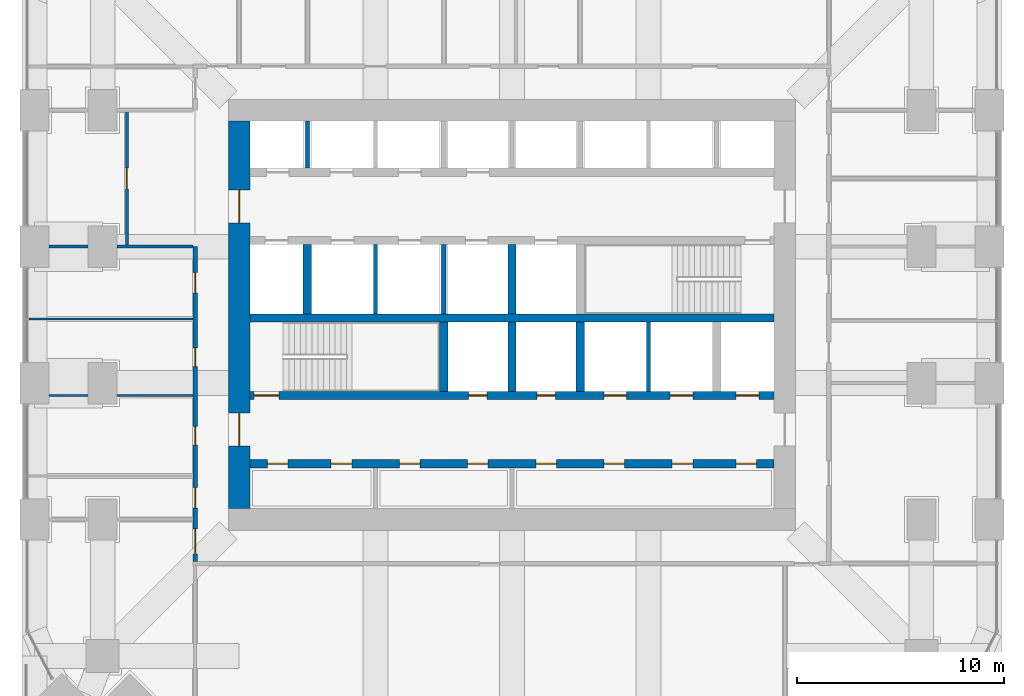
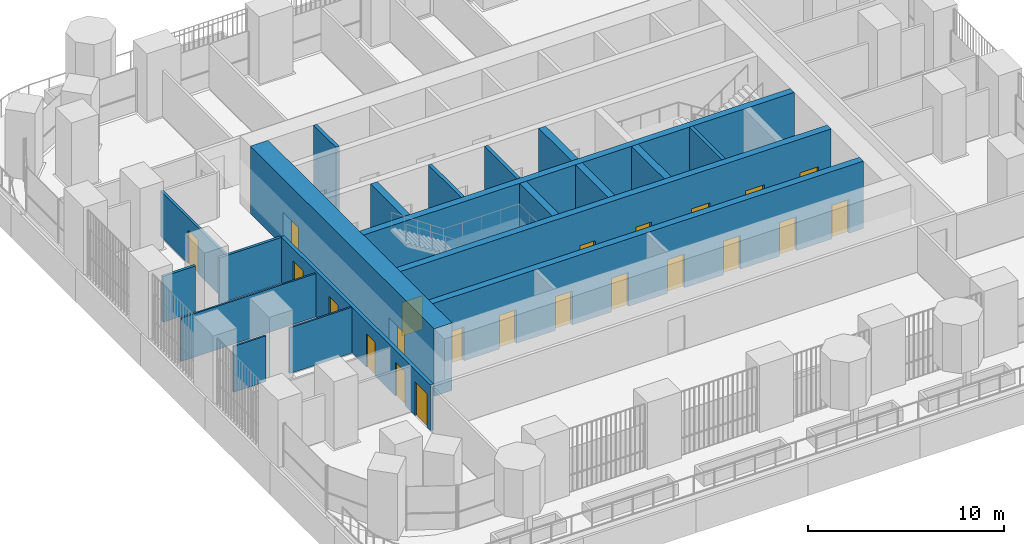
# One storey, part 14 of 22: 22 doors, 20 walls, 22 openings.
"""IFC4 building model written with IfcOpenShell, lengths in metres."""

from ifc_helpers import new_model, si_unit, direction, frame, frame_2d, origin, place, context, subcontext, project, spatial, rectangle, extrude, material, layer, layer_set, type_object, element, fill, save


model = new_model("IFC4")

# Units and contexts
model_context = context("Model", 3, precision=1e-05, world=origin(), true_north=direction((0.0, 1.0)))
body_context = subcontext(model_context, "Body", "Model", "MODEL_VIEW")
ifc_project = project(units=[si_unit("LENGTHUNIT", "METRE"), si_unit("AREAUNIT", "SQUARE_METRE"), si_unit("VOLUMEUNIT", "CUBIC_METRE"), si_unit("PLANEANGLEUNIT", "RADIAN"), si_unit("MASSUNIT", "GRAM", prefix="KILO")], contexts=[model_context])

# Site, building, storey
site_placement = place(None, origin())
site = spatial("IfcSite", under=ifc_project, at=site_placement, CompositionType="ELEMENT")
building_placement = place(site_placement, origin())
building = spatial("IfcBuilding", under=site, at=building_placement, Name="Cobogo Forest Laboratory Tower", CompositionType="ELEMENT")
storey_placement = place(building_placement, frame((0.0, 0.0, 155.699951171875)))
storey = spatial("IfcBuildingStorey", under=building, at=storey_placement, Name="L35", CompositionType="ELEMENT", Elevation=155.699951171875)

# Wall, openings, doors
ifc_material_1 = material(Name="Concrete HA-50 (C50/60)", Category="concrete")
ifc_layer_1 = layer(ifc_material_1, 0.39990234375)
ifc_layer_set_1 = layer_set([ifc_layer_1], Name="CI400 core inner wall 400")
wall_type_1 = type_object("IfcWallType", Name="CI400 core inner wall 400", PredefinedType="SHEAR", material=ifc_layer_set_1)
wall_1_placement = place(storey_placement, frame((13.72509765625, 15.89990234375, 0.0), z_axis=(0.0, 0.0, 1.0), x_axis=(1.0, 0.0, 0.0)))
wall_1 = element("IfcWall", 1, at=wall_1_placement, inside=storey, type_object=wall_type_1, Name="Core wall CI-15.9 L35", PredefinedType="SHEAR", context=body_context, shape_type="SweptSolid", body=[
    extrude(rectangle(XDim=25.349853515625, YDim=0.39990234375, at=frame_2d((12.6748046875, 0.0))), origin(), (0.0, 0.0, 1.0), 4.199951171875),
])
opening_1_placement = place(wall_1_placement, frame((0.83740234375, 0.0, 0.0)))
opening_1 = element("IfcOpeningElement", 2, at=opening_1_placement, cuts=wall_1, Name="Opening L35-D07", PredefinedType="OPENING", context=body_context, shape_type="SweptSolid", body=[
    extrude(rectangle(XDim=1.0, YDim=2.10009765625, at=frame_2d((0.5, 1.050048828125))), frame((0.0, 0.2099609375, 0.0), z_axis=(0.0, -1.0, 0.0), x_axis=(1.0, 0.0, 0.0)), (0.0, 0.0, 1.0), 0.419921875),
])
opening_2_placement = place(wall_1_placement, frame((3.925048828125, 0.0, 0.0)))
opening_2 = element("IfcOpeningElement", 3, at=opening_2_placement, cuts=wall_1, Name="Opening L35-D08", PredefinedType="OPENING", context=body_context, shape_type="SweptSolid", body=[
    extrude(rectangle(XDim=1.0, YDim=2.10009765625, at=frame_2d((0.5, 1.050048828125))), frame((0.0, 0.2099609375, 0.0), z_axis=(0.0, -1.0, 0.0), x_axis=(1.0, 0.0, 0.0)), (0.0, 0.0, 1.0), 0.419921875),
])
opening_3_placement = place(wall_1_placement, frame((7.22509765625, 0.0, 0.0)))
opening_3 = element("IfcOpeningElement", 4, at=opening_3_placement, cuts=wall_1, Name="Opening L35-D09", PredefinedType="OPENING", context=body_context, shape_type="SweptSolid", body=[
    extrude(rectangle(XDim=1.0, YDim=2.10009765625, at=frame_2d((0.5, 1.050048828125))), frame((0.0, 0.2099609375, 0.0), z_axis=(0.0, -1.0, 0.0), x_axis=(1.0, 0.0, 0.0)), (0.0, 0.0, 1.0), 0.419921875),
])
opening_4_placement = place(wall_1_placement, frame((10.52490234375, 0.0, 0.0)))
opening_4 = element("IfcOpeningElement", 5, at=opening_4_placement, cuts=wall_1, Name="Opening L35-D10", PredefinedType="OPENING", context=body_context, shape_type="SweptSolid", body=[
    extrude(rectangle(XDim=1.0, YDim=2.10009765625, at=frame_2d((0.5, 1.050048828125))), frame((0.0, 0.2099609375, 0.0), z_axis=(0.0, -1.0, 0.0), x_axis=(1.0, 0.0, 0.0)), (0.0, 0.0, 1.0), 0.419921875),
])
opening_5_placement = place(wall_1_placement, frame((13.824951171875, 0.0, 0.0)))
opening_5 = element("IfcOpeningElement", 6, at=opening_5_placement, cuts=wall_1, Name="Opening L35-D11", PredefinedType="OPENING", context=body_context, shape_type="SweptSolid", body=[
    extrude(rectangle(XDim=1.0, YDim=2.10009765625, at=frame_2d((0.5, 1.050048828125))), frame((0.0, 0.2099609375, 0.0), z_axis=(0.0, -1.0, 0.0), x_axis=(1.0, 0.0, 0.0)), (0.0, 0.0, 1.0), 0.419921875),
])
opening_6_placement = place(wall_1_placement, frame((17.125, 0.0, 0.0)))
opening_6 = element("IfcOpeningElement", 7, at=opening_6_placement, cuts=wall_1, Name="Opening L35-D12", PredefinedType="OPENING", context=body_context, shape_type="SweptSolid", body=[
    extrude(rectangle(XDim=1.0, YDim=2.10009765625, at=frame_2d((0.5, 1.050048828125))), frame((0.0, 0.2099609375, 0.0), z_axis=(0.0, -1.0, 0.0), x_axis=(1.0, 0.0, 0.0)), (0.0, 0.0, 1.0), 0.419921875),
])
opening_7_placement = place(wall_1_placement, frame((20.425048828125, 0.0, 0.0)))
opening_7 = element("IfcOpeningElement", 8, at=opening_7_placement, cuts=wall_1, Name="Opening L35-D13", PredefinedType="OPENING", context=body_context, shape_type="SweptSolid", body=[
    extrude(rectangle(XDim=1.0, YDim=2.10009765625, at=frame_2d((0.5, 1.050048828125))), frame((0.0, 0.2099609375, 0.0), z_axis=(0.0, -1.0, 0.0), x_axis=(1.0, 0.0, 0.0)), (0.0, 0.0, 1.0), 0.419921875),
])
opening_8_placement = place(wall_1_placement, frame((23.512451171875, 0.0, 0.0)))
opening_8 = element("IfcOpeningElement", 9, at=opening_8_placement, cuts=wall_1, Name="Opening L35-D14", PredefinedType="OPENING", context=body_context, shape_type="SweptSolid", body=[
    extrude(rectangle(XDim=1.0, YDim=2.10009765625, at=frame_2d((0.5, 1.050048828125))), frame((0.0, 0.2099609375, 0.0), z_axis=(0.0, -1.0, 0.0), x_axis=(1.0, 0.0, 0.0)), (0.0, 0.0, 1.0), 0.419921875),
])
ifc_material_2 = material(Name="Steel fire door", Category="steel")
door_type_1 = type_object("IfcDoorType", Name="FD1 fire door 1000 EI2 60", OperationType="SINGLE_SWING_LEFT", PredefinedType="DOOR", material=ifc_material_2)
door_1_placement = place(opening_1_placement, origin())
door_1 = element("IfcDoor", 10, at=door_1_placement, inside=storey, type_object=door_type_1, Name="Door L35-SH-LA1", OperationType="SINGLE_SWING_LEFT", OverallHeight=2.10009765625, OverallWidth=1.0, PredefinedType="DOOR", context=body_context, shape_type="SweptSolid", body=[
    extrude(rectangle(XDim=1.0, YDim=2.10009765625, at=frame_2d((0.5, 1.050048828125))), frame((0.0, 0.02490234375, 0.0), z_axis=(0.0, -1.0, 0.0), x_axis=(1.0, 0.0, 0.0)), (0.0, 0.0, 1.0), 0.050048828125),
])
fill(opening_1, door_1)
door_2_placement = place(opening_2_placement, origin())
door_2 = element("IfcDoor", 11, at=door_2_placement, inside=storey, type_object=door_type_1, Name="Door L35-SH-LA2", OperationType="SINGLE_SWING_LEFT", OverallHeight=2.10009765625, OverallWidth=1.0, PredefinedType="DOOR", context=body_context, shape_type="SweptSolid", body=[
    extrude(rectangle(XDim=1.0, YDim=2.10009765625, at=frame_2d((0.5, 1.050048828125))), frame((0.0, 0.02490234375, 0.0), z_axis=(0.0, -1.0, 0.0), x_axis=(1.0, 0.0, 0.0)), (0.0, 0.0, 1.0), 0.050048828125),
])
fill(opening_2, door_2)
door_3_placement = place(opening_3_placement, origin())
door_3 = element("IfcDoor", 12, at=door_3_placement, inside=storey, type_object=door_type_1, Name="Door L35-SH-LA3", OperationType="SINGLE_SWING_LEFT", OverallHeight=2.10009765625, OverallWidth=1.0, PredefinedType="DOOR", context=body_context, shape_type="SweptSolid", body=[
    extrude(rectangle(XDim=1.0, YDim=2.10009765625, at=frame_2d((0.5, 1.050048828125))), frame((0.0, 0.02490234375, 0.0), z_axis=(0.0, -1.0, 0.0), x_axis=(1.0, 0.0, 0.0)), (0.0, 0.0, 1.0), 0.050048828125),
])
fill(opening_3, door_3)
door_4_placement = place(opening_4_placement, origin())
door_4 = element("IfcDoor", 13, at=door_4_placement, inside=storey, type_object=door_type_1, Name="Door L35-SH-LA4", OperationType="SINGLE_SWING_LEFT", OverallHeight=2.10009765625, OverallWidth=1.0, PredefinedType="DOOR", context=body_context, shape_type="SweptSolid", body=[
    extrude(rectangle(XDim=1.0, YDim=2.10009765625, at=frame_2d((0.5, 1.050048828125))), frame((0.0, 0.02490234375, 0.0), z_axis=(0.0, -1.0, 0.0), x_axis=(1.0, 0.0, 0.0)), (0.0, 0.0, 1.0), 0.050048828125),
])
fill(opening_4, door_4)
door_5_placement = place(opening_5_placement, origin())
door_5 = element("IfcDoor", 14, at=door_5_placement, inside=storey, type_object=door_type_1, Name="Door L35-SH-LB1", OperationType="SINGLE_SWING_RIGHT", OverallHeight=2.10009765625, OverallWidth=1.0, PredefinedType="DOOR", context=body_context, shape_type="SweptSolid", body=[
    extrude(rectangle(XDim=1.0, YDim=2.10009765625, at=frame_2d((0.5, 1.050048828125))), frame((0.0, 0.02490234375, 0.0), z_axis=(0.0, -1.0, 0.0), x_axis=(1.0, 0.0, 0.0)), (0.0, 0.0, 1.0), 0.050048828125),
])
fill(opening_5, door_5)
door_6_placement = place(opening_6_placement, origin())
door_6 = element("IfcDoor", 15, at=door_6_placement, inside=storey, type_object=door_type_1, Name="Door L35-SH-LB2", OperationType="SINGLE_SWING_RIGHT", OverallHeight=2.10009765625, OverallWidth=1.0, PredefinedType="DOOR", context=body_context, shape_type="SweptSolid", body=[
    extrude(rectangle(XDim=1.0, YDim=2.10009765625, at=frame_2d((0.5, 1.050048828125))), frame((0.0, 0.02490234375, 0.0), z_axis=(0.0, -1.0, 0.0), x_axis=(1.0, 0.0, 0.0)), (0.0, 0.0, 1.0), 0.050048828125),
])
fill(opening_6, door_6)
door_7_placement = place(opening_7_placement, origin())
door_7 = element("IfcDoor", 16, at=door_7_placement, inside=storey, type_object=door_type_1, Name="Door L35-SH-LB3", OperationType="SINGLE_SWING_RIGHT", OverallHeight=2.10009765625, OverallWidth=1.0, PredefinedType="DOOR", context=body_context, shape_type="SweptSolid", body=[
    extrude(rectangle(XDim=1.0, YDim=2.10009765625, at=frame_2d((0.5, 1.050048828125))), frame((0.0, 0.02490234375, 0.0), z_axis=(0.0, -1.0, 0.0), x_axis=(1.0, 0.0, 0.0)), (0.0, 0.0, 1.0), 0.050048828125),
])
fill(opening_7, door_7)
door_8_placement = place(opening_8_placement, origin())
door_8 = element("IfcDoor", 17, at=door_8_placement, inside=storey, type_object=door_type_1, Name="Door L35-SH-LB4", OperationType="SINGLE_SWING_RIGHT", OverallHeight=2.10009765625, OverallWidth=1.0, PredefinedType="DOOR", context=body_context, shape_type="SweptSolid", body=[
    extrude(rectangle(XDim=1.0, YDim=2.10009765625, at=frame_2d((0.5, 1.050048828125))), frame((0.0, 0.02490234375, 0.0), z_axis=(0.0, -1.0, 0.0), x_axis=(1.0, 0.0, 0.0)), (0.0, 0.0, 1.0), 0.050048828125),
])
fill(opening_8, door_8)

wall_2_placement = place(storey_placement, frame((13.72509765625, 19.199951171875, 0.0), z_axis=(0.0, 0.0, 1.0), x_axis=(1.0, 0.0, 0.0)))
wall_2 = element("IfcWall", 18, at=wall_2_placement, inside=storey, type_object=wall_type_1, Name="Core wall CI-19.2 L35", PredefinedType="SHEAR", context=body_context, shape_type="SweptSolid", body=[
    extrude(rectangle(XDim=25.349853515625, YDim=0.39990234375, at=frame_2d((12.6748046875, 0.0))), origin(), (0.0, 0.0, 1.0), 4.199951171875),
])
opening_9_placement = place(wall_2_placement, frame((10.574951171875, 0.0, 0.0)))
opening_9 = element("IfcOpeningElement", 19, at=opening_9_placement, cuts=wall_2, Name="Opening L35-D19", PredefinedType="OPENING", context=body_context, shape_type="SweptSolid", body=[
    extrude(rectangle(XDim=0.89990234375, YDim=2.10009765625, at=frame_2d((0.449951171875, 1.050048828125))), frame((0.0, 0.2099609375, 0.0), z_axis=(0.0, -1.0, 0.0), x_axis=(1.0, 0.0, 0.0)), (0.0, 0.0, 1.0), 0.419921875),
])
opening_10_placement = place(wall_2_placement, frame((13.875, 0.0, 0.0)))
opening_10 = element("IfcOpeningElement", 20, at=opening_10_placement, cuts=wall_2, Name="Opening L35-D20", PredefinedType="OPENING", context=body_context, shape_type="SweptSolid", body=[
    extrude(rectangle(XDim=0.89990234375, YDim=2.10009765625, at=frame_2d((0.449951171875, 1.050048828125))), frame((0.0, 0.2099609375, 0.0), z_axis=(0.0, -1.0, 0.0), x_axis=(1.0, 0.0, 0.0)), (0.0, 0.0, 1.0), 0.419921875),
])
opening_11_placement = place(wall_2_placement, frame((0.199951171875, 0.0, 0.0)))
opening_11 = element("IfcOpeningElement", 21, at=opening_11_placement, cuts=wall_2, Name="Opening L35-D18", PredefinedType="OPENING", context=body_context, shape_type="SweptSolid", body=[
    extrude(rectangle(XDim=1.199951171875, YDim=2.10009765625, at=frame_2d((0.60009765625, 1.050048828125))), frame((0.0, 0.2099609375, 0.0), z_axis=(0.0, -1.0, 0.0), x_axis=(1.0, 0.0, 0.0)), (0.0, 0.0, 1.0), 0.419921875),
])
opening_12_placement = place(wall_2_placement, frame((23.512451171875, 0.0, 0.0)))
opening_12 = element("IfcOpeningElement", 22, at=opening_12_placement, cuts=wall_2, Name="Opening L35-LD-FL2", PredefinedType="OPENING", context=body_context, shape_type="SweptSolid", body=[
    extrude(rectangle(XDim=1.10009765625, YDim=2.10009765625, at=frame_2d((0.550048828125, 1.050048828125))), frame((0.0, 0.2099609375, 0.0), z_axis=(0.0, -1.0, 0.0), x_axis=(1.0, 0.0, 0.0)), (0.0, 0.0, 1.0), 0.419921875),
])
opening_13_placement = place(wall_2_placement, frame((17.125, 0.0, 0.0)))
opening_13 = element("IfcOpeningElement", 23, at=opening_13_placement, cuts=wall_2, Name="Opening L35-LD-LS1", PredefinedType="OPENING", context=body_context, shape_type="SweptSolid", body=[
    extrude(rectangle(XDim=1.10009765625, YDim=2.10009765625, at=frame_2d((0.550048828125, 1.050048828125))), frame((0.0, 0.2099609375, 0.0), z_axis=(0.0, -1.0, 0.0), x_axis=(1.0, 0.0, 0.0)), (0.0, 0.0, 1.0), 0.419921875),
])
opening_14_placement = place(wall_2_placement, frame((20.324951171875, 0.0, 0.0)))
opening_14 = element("IfcOpeningElement", 24, at=opening_14_placement, cuts=wall_2, Name="Opening L35-LD-LS2", PredefinedType="OPENING", context=body_context, shape_type="SweptSolid", body=[
    extrude(rectangle(XDim=1.10009765625, YDim=2.10009765625, at=frame_2d((0.550048828125, 1.050048828125))), frame((0.0, 0.2099609375, 0.0), z_axis=(0.0, -1.0, 0.0), x_axis=(1.0, 0.0, 0.0)), (0.0, 0.0, 1.0), 0.419921875),
])
door_type_2 = type_object("IfcDoorType", Name="DS1 protected stair door 1200 EI2 60", OperationType="SINGLE_SWING_LEFT", PredefinedType="DOOR", material=ifc_material_2)
door_9_placement = place(opening_11_placement, origin())
door_9 = element("IfcDoor", 25, at=door_9_placement, inside=storey, type_object=door_type_2, Name="Door L35-ST1", OperationType="SINGLE_SWING_LEFT", OverallHeight=2.10009765625, OverallWidth=1.199951171875, PredefinedType="DOOR", context=body_context, shape_type="SweptSolid", body=[
    extrude(rectangle(XDim=1.199951171875, YDim=2.10009765625, at=frame_2d((0.60009765625, 1.050048828125))), frame((0.0, 0.02490234375, 0.0), z_axis=(0.0, -1.0, 0.0), x_axis=(1.0, 0.0, 0.0)), (0.0, 0.0, 1.0), 0.050048828125),
])
fill(opening_11, door_9)
door_type_3 = type_object("IfcDoorType", Name="FD4 riser access door 900 EI2 60", OperationType="SINGLE_SWING_LEFT", PredefinedType="DOOR", material=ifc_material_2)
door_10_placement = place(opening_9_placement, origin())
door_10 = element("IfcDoor", 26, at=door_10_placement, inside=storey, type_object=door_type_3, Name="Door L35-R1", OperationType="SINGLE_SWING_LEFT", OverallHeight=2.10009765625, OverallWidth=0.89990234375, PredefinedType="DOOR", context=body_context, shape_type="SweptSolid", body=[
    extrude(rectangle(XDim=0.89990234375, YDim=2.10009765625, at=frame_2d((0.449951171875, 1.050048828125))), frame((0.0, 0.02490234375, 0.0), z_axis=(0.0, -1.0, 0.0), x_axis=(1.0, 0.0, 0.0)), (0.0, 0.0, 1.0), 0.050048828125),
])
fill(opening_9, door_10)
door_11_placement = place(opening_10_placement, origin())
door_11 = element("IfcDoor", 27, at=door_11_placement, inside=storey, type_object=door_type_3, Name="Door L35-R2", OperationType="SINGLE_SWING_RIGHT", OverallHeight=2.10009765625, OverallWidth=0.89990234375, PredefinedType="DOOR", context=body_context, shape_type="SweptSolid", body=[
    extrude(rectangle(XDim=0.89990234375, YDim=2.10009765625, at=frame_2d((0.449951171875, 1.050048828125))), frame((0.0, 0.02490234375, 0.0), z_axis=(0.0, -1.0, 0.0), x_axis=(1.0, 0.0, 0.0)), (0.0, 0.0, 1.0), 0.050048828125),
])
fill(opening_10, door_11)
ifc_material_3 = material(Name="Stainless steel lift door", Category="steel")
door_type_4 = type_object("IfcDoorType", Name="LD lift landing door 1100", OperationType="DOUBLE_DOOR_SLIDING", PredefinedType="DOOR", material=ifc_material_3)
door_12_placement = place(opening_12_placement, origin())
door_12 = element("IfcDoor", 28, at=door_12_placement, inside=storey, type_object=door_type_4, Name="Lift landing door FL2 L35", OperationType="DOUBLE_DOOR_SLIDING", OverallHeight=2.10009765625, OverallWidth=1.10009765625, PredefinedType="DOOR", context=body_context, shape_type="SweptSolid", body=[
    extrude(rectangle(XDim=1.10009765625, YDim=2.10009765625, at=frame_2d((0.550048828125, 1.050048828125))), frame((0.0, 0.02490234375, 0.0), z_axis=(0.0, -1.0, 0.0), x_axis=(1.0, 0.0, 0.0)), (0.0, 0.0, 1.0), 0.050048828125),
])
fill(opening_12, door_12)
door_13_placement = place(opening_13_placement, origin())
door_13 = element("IfcDoor", 29, at=door_13_placement, inside=storey, type_object=door_type_4, Name="Lift landing door LS1 L35", OperationType="DOUBLE_DOOR_SLIDING", OverallHeight=2.10009765625, OverallWidth=1.10009765625, PredefinedType="DOOR", context=body_context, shape_type="SweptSolid", body=[
    extrude(rectangle(XDim=1.10009765625, YDim=2.10009765625, at=frame_2d((0.550048828125, 1.050048828125))), frame((0.0, 0.02490234375, 0.0), z_axis=(0.0, -1.0, 0.0), x_axis=(1.0, 0.0, 0.0)), (0.0, 0.0, 1.0), 0.050048828125),
])
fill(opening_13, door_13)
door_14_placement = place(opening_14_placement, origin())
door_14 = element("IfcDoor", 30, at=door_14_placement, inside=storey, type_object=door_type_4, Name="Lift landing door LS2 L35", OperationType="DOUBLE_DOOR_SLIDING", OverallHeight=2.10009765625, OverallWidth=1.10009765625, PredefinedType="DOOR", context=body_context, shape_type="SweptSolid", body=[
    extrude(rectangle(XDim=1.10009765625, YDim=2.10009765625, at=frame_2d((0.550048828125, 1.050048828125))), frame((0.0, 0.02490234375, 0.0), z_axis=(0.0, -1.0, 0.0), x_axis=(1.0, 0.0, 0.0)), (0.0, 0.0, 1.0), 0.050048828125),
])
fill(opening_14, door_14)

# Walls
wall_3_placement = place(storey_placement, frame((13.72509765625, 22.949951171875, 0.0), z_axis=(0.0, 0.0, 1.0), x_axis=(1.0, 0.0, 0.0)))
element("IfcWall", 31, at=wall_3_placement, inside=storey, type_object=wall_type_1, Name="Core wall CI-22.95 L35", PredefinedType="SHEAR", context=body_context, shape_type="SweptSolid", body=[
    extrude(rectangle(XDim=25.349853515625, YDim=0.39990234375, at=frame_2d((12.6748046875, 0.0))), origin(), (0.0, 0.0, 1.0), 4.199951171875),
])
for number, where, z_axis, x_axis, name in (
    (32, (23.10009765625, 19.39990234375, 0.0), (0.0, 0.0, 1.0), (0.0, 1.0, 0.0), "Core wall CX-23.1 L35"),
    (33, (26.39990234375, 19.39990234375, 0.0), (0.0, 0.0, 1.0), (0.0, 1.0, 0.0), "Core wall CX-26.4S L35"),
    (34, (29.699951171875, 19.39990234375, 0.0), (0.0, 0.0, 1.0), (0.0, 1.0, 0.0), "Core wall CX-29.7S L35"),
    (35, (16.5, 23.14990234375, 0.0), (0.0, 0.0, 1.0), (0.0, 1.0, 0.0), "Core wall CX-16.5 L35"),
    (36, (26.39990234375, 23.14990234375, 0.0), (0.0, 0.0, 1.0), (0.0, 1.0, 0.0), "Core wall CX-26.4N L35"),
):
    element("IfcWall", number, at=place(storey_placement, frame(where, z_axis=z_axis, x_axis=x_axis)), inside=storey, type_object=wall_type_1, Name=name, PredefinedType="SHEAR", context=body_context, shape_type="SweptSolid", body=[
        extrude(rectangle(XDim=3.35009765625, YDim=0.39990234375, at=frame_2d((1.675048828125, 0.0))), origin(), (0.0, 0.0, 1.0), 4.199951171875),
    ])

# Wall, openings, doors
ifc_layer_2 = layer(ifc_material_1, 1.050048828125)
ifc_layer_set_2 = layer_set([ifc_layer_2], Name="CW1050 core outer wall 1050")
wall_type_2 = type_object("IfcWallType", Name="CW1050 core outer wall 1050", PredefinedType="SHEAR", material=ifc_layer_set_2)
wall_4_placement = place(storey_placement, frame((13.199951171875, 32.47509765625, 0.0), z_axis=(0.0, 0.0, 1.0), x_axis=(0.0, -1.0, 0.0)))
wall_4 = element("IfcWall", 37, at=wall_4_placement, inside=storey, type_object=wall_type_2, Name="Core wall CO-W L35", PredefinedType="SHEAR", context=body_context, shape_type="SweptSolid", body=[
    extrude(rectangle(XDim=18.75, YDim=1.050048828125, at=frame_2d((9.375, 0.0))), origin(), (0.0, 0.0, 1.0), 4.199951171875),
])
opening_15_placement = place(wall_4_placement, frame((14.125, 0.0, 0.0)))
opening_15 = element("IfcOpeningElement", 38, at=opening_15_placement, cuts=wall_4, Name="Opening L35-D16", PredefinedType="OPENING", context=body_context, shape_type="SweptSolid", body=[
    extrude(rectangle(XDim=1.60009765625, YDim=2.10009765625, at=frame_2d((0.800048828125, 1.050048828125))), frame((0.0, 0.534912109375, 0.0), z_axis=(0.0, -1.0, 0.0), x_axis=(1.0, 0.0, 0.0)), (0.0, 0.0, 1.0), 1.070068359375),
])
opening_16_placement = place(wall_4_placement, frame((3.324951171875, 0.0, 0.0)))
opening_16 = element("IfcOpeningElement", 39, at=opening_16_placement, cuts=wall_4, Name="Opening L35-D27", PredefinedType="OPENING", context=body_context, shape_type="SweptSolid", body=[
    extrude(rectangle(XDim=1.60009765625, YDim=2.10009765625, at=frame_2d((0.800048828125, 1.050048828125))), frame((0.0, 0.534912109375, 0.0), z_axis=(0.0, -1.0, 0.0), x_axis=(1.0, 0.0, 0.0)), (0.0, 0.0, 1.0), 1.070068359375),
])
door_type_5 = type_object("IfcDoorType", Name="DS2 protected lobby door pair 1600 EI2 60", OperationType="DOUBLE_DOOR_DOUBLE_SWING", PredefinedType="DOOR", material=ifc_material_2)
door_15_placement = place(opening_15_placement, origin())
door_15 = element("IfcDoor", 40, at=door_15_placement, inside=storey, type_object=door_type_5, Name="Door L35-CO-W-S", OperationType="DOUBLE_DOOR_DOUBLE_SWING", OverallHeight=2.10009765625, OverallWidth=1.60009765625, PredefinedType="DOOR", context=body_context, shape_type="SweptSolid", body=[
    extrude(rectangle(XDim=1.60009765625, YDim=2.10009765625, at=frame_2d((0.800048828125, 1.050048828125))), frame((0.0, 0.02490234375, 0.0), z_axis=(0.0, -1.0, 0.0), x_axis=(1.0, 0.0, 0.0)), (0.0, 0.0, 1.0), 0.050048828125),
])
fill(opening_15, door_15)
door_16_placement = place(opening_16_placement, origin())
door_16 = element("IfcDoor", 41, at=door_16_placement, inside=storey, type_object=door_type_5, Name="Door L35-CO-W-N", OperationType="DOUBLE_DOOR_DOUBLE_SWING", OverallHeight=2.10009765625, OverallWidth=1.60009765625, PredefinedType="DOOR", context=body_context, shape_type="SweptSolid", body=[
    extrude(rectangle(XDim=1.60009765625, YDim=2.10009765625, at=frame_2d((0.800048828125, 1.050048828125))), frame((0.0, 0.02490234375, 0.0), z_axis=(0.0, -1.0, 0.0), x_axis=(1.0, 0.0, 0.0)), (0.0, 0.0, 1.0), 0.050048828125),
])
fill(opening_16, door_16)

# Wall, opening, door
ifc_material_4 = material(Name="Gypsum board on steel studs", Category="steel")
ifc_layer_3 = layer(ifc_material_4, 0.14990234375)
ifc_layer_set_3 = layer_set([ifc_layer_3], Name="PT1 laboratory partition 150")
wall_type_3 = type_object("IfcWallType", Name="PT1 laboratory partition 150", PredefinedType="PARTITIONING", material=ifc_layer_set_3)
wall_5_placement = place(storey_placement, frame((7.77490234375, 26.39990234375, 0.0), z_axis=(0.0, 0.0, 1.0), x_axis=(0.0, 1.0, 0.0)))
wall_5 = element("IfcWall", 42, at=wall_5_placement, inside=storey, type_object=wall_type_3, Name="Partition NODE-W-1 L35", PredefinedType="PARTITIONING", context=body_context, shape_type="SweptSolid", body=[
    extrude(rectangle(XDim=6.60009765625, YDim=0.14990234375, at=frame_2d((3.300048828125, 0.0))), origin(), (0.0, 0.0, 1.0), 2.85009765625),
])
opening_17_placement = place(wall_5_placement, frame((2.800048828125, 0.0, 0.0)))
opening_17 = element("IfcOpeningElement", 43, at=opening_17_placement, cuts=wall_5, Name="Opening L35-D29", PredefinedType="OPENING", context=body_context, shape_type="SweptSolid", body=[
    extrude(rectangle(XDim=1.0, YDim=2.10009765625, at=frame_2d((0.5, 1.050048828125))), frame((0.0, 0.0849609375, 0.0), z_axis=(0.0, -1.0, 0.0), x_axis=(1.0, 0.0, 0.0)), (0.0, 0.0, 1.0), 0.169921875),
])
ifc_material_5 = material(Name="Timber fire door", Category="wood")
door_type_6 = type_object("IfcDoorType", Name="FD2 fire door 1000 EI2 30", OperationType="SINGLE_SWING_LEFT", PredefinedType="DOOR", material=ifc_material_5)
door_17_placement = place(opening_17_placement, origin())
door_17 = element("IfcDoor", 44, at=door_17_placement, inside=storey, type_object=door_type_6, Name="Door L35-W3", OperationType="SINGLE_SWING_LEFT", OverallHeight=2.10009765625, OverallWidth=1.0, PredefinedType="DOOR", context=body_context, shape_type="SweptSolid", body=[
    extrude(rectangle(XDim=1.0, YDim=2.10009765625, at=frame_2d((0.5, 1.050048828125))), frame((0.0, 0.02490234375, 0.0), z_axis=(0.0, -1.0, 0.0), x_axis=(1.0, 0.0, 0.0)), (0.0, 0.0, 1.0), 0.050048828125),
])
fill(opening_17, door_17)

# Walls
wall_6_placement = place(storey_placement, frame((4.0, 26.39990234375, 0.0), z_axis=(0.0, 0.0, 1.0), x_axis=(1.0, 0.0, 0.0)))
element("IfcWall", 45, at=wall_6_placement, inside=storey, type_object=wall_type_3, Name="Partition CUT-W26.4-1 L35", PredefinedType="PARTITIONING", context=body_context, shape_type="SweptSolid", body=[
    extrude(rectangle(XDim=1.89990234375, YDim=0.14990234375, at=frame_2d((0.949951171875, 0.0))), origin(), (0.0, 0.0, 1.0), 2.85009765625),
])
wall_7_placement = place(storey_placement, frame((7.300048828125, 26.39990234375, 0.0), z_axis=(0.0, 0.0, 1.0), x_axis=(1.0, 0.0, 0.0)))
element("IfcWall", 46, at=wall_7_placement, inside=storey, type_object=wall_type_3, Name="Partition CUT-W26.4-2 L35", PredefinedType="PARTITIONING", context=body_context, shape_type="SweptSolid", body=[
    extrude(rectangle(XDim=3.675048828125, YDim=0.14990234375, at=frame_2d((1.83740234375, 0.0))), origin(), (0.0, 0.0, 1.0), 2.85009765625),
])

# Wall, openings, doors
ifc_layer_4 = layer(ifc_material_4, 0.199951171875)
ifc_layer_set_4 = layer_set([ifc_layer_4], Name="PT2 fire-rated corridor partition 200")
wall_type_4 = type_object("IfcWallType", Name="PT2 fire-rated corridor partition 200", PredefinedType="PARTITIONING", material=ifc_layer_set_4)
wall_8_placement = place(storey_placement, frame((11.074951171875, 11.175048828125, 0.0), z_axis=(0.0, 0.0, 1.0), x_axis=(0.0, 1.0, 0.0)))
wall_8 = element("IfcWall", 47, at=wall_8_placement, inside=storey, type_object=wall_type_4, Name="Partition CORR-W-1 L35", PredefinedType="PARTITIONING", context=body_context, shape_type="SweptSolid", body=[
    extrude(rectangle(XDim=15.224853515625, YDim=0.199951171875, at=frame_2d((7.6123046875, 0.0))), origin(), (0.0, 0.0, 1.0), 2.85009765625),
])
opening_18_placement = place(wall_8_placement, frame((0.362548828125, 0.0, 0.0)))
opening_18 = element("IfcOpeningElement", 48, at=opening_18_placement, cuts=wall_8, Name="Opening L35-D04", PredefinedType="OPENING", context=body_context, shape_type="SweptSolid", body=[
    extrude(rectangle(XDim=1.199951171875, YDim=2.10009765625, at=frame_2d((0.60009765625, 1.050048828125))), frame((0.0, 0.10986328125, 0.0), z_axis=(0.0, -1.0, 0.0), x_axis=(1.0, 0.0, 0.0)), (0.0, 0.0, 1.0), 0.219970703125),
])
opening_19_placement = place(wall_8_placement, frame((2.574951171875, 0.0, 0.0)))
opening_19 = element("IfcOpeningElement", 49, at=opening_19_placement, cuts=wall_8, Name="Opening L35-D05", PredefinedType="OPENING", context=body_context, shape_type="SweptSolid", body=[
    extrude(rectangle(XDim=1.0, YDim=2.10009765625, at=frame_2d((0.5, 1.050048828125))), frame((0.0, 0.10986328125, 0.0), z_axis=(0.0, -1.0, 0.0), x_axis=(1.0, 0.0, 0.0)), (0.0, 0.0, 1.0), 0.219970703125),
])
opening_20_placement = place(wall_8_placement, frame((5.625, 0.0, 0.0)))
opening_20 = element("IfcOpeningElement", 50, at=opening_20_placement, cuts=wall_8, Name="Opening L35-D15", PredefinedType="OPENING", context=body_context, shape_type="SweptSolid", body=[
    extrude(rectangle(XDim=0.89990234375, YDim=2.10009765625, at=frame_2d((0.449951171875, 1.050048828125))), frame((0.0, 0.10986328125, 0.0), z_axis=(0.0, -1.0, 0.0), x_axis=(1.0, 0.0, 0.0)), (0.0, 0.0, 1.0), 0.219970703125),
])
opening_21_placement = place(wall_8_placement, frame((9.425048828125, 0.0, 0.0)))
opening_21 = element("IfcOpeningElement", 51, at=opening_21_placement, cuts=wall_8, Name="Opening L35-D21", PredefinedType="OPENING", context=body_context, shape_type="SweptSolid", body=[
    extrude(rectangle(XDim=0.89990234375, YDim=2.10009765625, at=frame_2d((0.449951171875, 1.050048828125))), frame((0.0, 0.10986328125, 0.0), z_axis=(0.0, -1.0, 0.0), x_axis=(1.0, 0.0, 0.0)), (0.0, 0.0, 1.0), 0.219970703125),
])
opening_22_placement = place(wall_8_placement, frame((12.97509765625, 0.0, 0.0)))
opening_22 = element("IfcOpeningElement", 52, at=opening_22_placement, cuts=wall_8, Name="Opening L35-D24", PredefinedType="OPENING", context=body_context, shape_type="SweptSolid", body=[
    extrude(rectangle(XDim=1.0, YDim=2.10009765625, at=frame_2d((0.5, 1.050048828125))), frame((0.0, 0.10986328125, 0.0), z_axis=(0.0, -1.0, 0.0), x_axis=(1.0, 0.0, 0.0)), (0.0, 0.0, 1.0), 0.219970703125),
])
ifc_material_6 = material(Name="Timber door", Category="wood")
door_type_7 = type_object("IfcDoorType", Name="D2 laboratory door 1200 unequal pair", OperationType="DOUBLE_DOOR_SINGLE_SWING", PredefinedType="DOOR", material=ifc_material_6)
door_18_placement = place(opening_18_placement, origin())
door_18 = element("IfcDoor", 53, at=door_18_placement, inside=storey, type_object=door_type_7, Name="Door L35-W1", OperationType="DOUBLE_DOOR_SINGLE_SWING", OverallHeight=2.10009765625, OverallWidth=1.199951171875, PredefinedType="DOOR", context=body_context, shape_type="SweptSolid", body=[
    extrude(rectangle(XDim=1.199951171875, YDim=2.10009765625, at=frame_2d((0.60009765625, 1.050048828125))), frame((0.0, 0.02490234375, 0.0), z_axis=(0.0, -1.0, 0.0), x_axis=(1.0, 0.0, 0.0)), (0.0, 0.0, 1.0), 0.050048828125),
])
fill(opening_18, door_18)
door_19_placement = place(opening_22_placement, origin())
door_19 = element("IfcDoor", 54, at=door_19_placement, inside=storey, type_object=door_type_6, Name="Door L35-SHW", OperationType="SINGLE_SWING_RIGHT", OverallHeight=2.10009765625, OverallWidth=1.0, PredefinedType="DOOR", context=body_context, shape_type="SweptSolid", body=[
    extrude(rectangle(XDim=1.0, YDim=2.10009765625, at=frame_2d((0.5, 1.050048828125))), frame((0.0, 0.02490234375, 0.0), z_axis=(0.0, -1.0, 0.0), x_axis=(1.0, 0.0, 0.0)), (0.0, 0.0, 1.0), 0.050048828125),
])
fill(opening_22, door_19)
door_type_8 = type_object("IfcDoorType", Name="FD3 toilet fire door 900 EI2 30", OperationType="SINGLE_SWING_LEFT", PredefinedType="DOOR", material=ifc_material_5)
door_20_placement = place(opening_20_placement, origin())
door_20 = element("IfcDoor", 55, at=door_20_placement, inside=storey, type_object=door_type_8, Name="Door L35-WCF", OperationType="SINGLE_SWING_LEFT", OverallHeight=2.10009765625, OverallWidth=0.89990234375, PredefinedType="DOOR", context=body_context, shape_type="SweptSolid", body=[
    extrude(rectangle(XDim=0.89990234375, YDim=2.10009765625, at=frame_2d((0.449951171875, 1.050048828125))), frame((0.0, 0.02490234375, 0.0), z_axis=(0.0, -1.0, 0.0), x_axis=(1.0, 0.0, 0.0)), (0.0, 0.0, 1.0), 0.050048828125),
])
fill(opening_20, door_20)
door_21_placement = place(opening_21_placement, origin())
door_21 = element("IfcDoor", 56, at=door_21_placement, inside=storey, type_object=door_type_8, Name="Door L35-WCM", OperationType="SINGLE_SWING_RIGHT", OverallHeight=2.10009765625, OverallWidth=0.89990234375, PredefinedType="DOOR", context=body_context, shape_type="SweptSolid", body=[
    extrude(rectangle(XDim=0.89990234375, YDim=2.10009765625, at=frame_2d((0.449951171875, 1.050048828125))), frame((0.0, 0.02490234375, 0.0), z_axis=(0.0, -1.0, 0.0), x_axis=(1.0, 0.0, 0.0)), (0.0, 0.0, 1.0), 0.050048828125),
])
fill(opening_21, door_21)
door_type_9 = type_object("IfcDoorType", Name="FDA1 accessible toilet fire door 1000 EI2 30", OperationType="SINGLE_SWING_RIGHT", PredefinedType="DOOR", material=ifc_material_5)
door_22_placement = place(opening_19_placement, origin())
door_22 = element("IfcDoor", 57, at=door_22_placement, inside=storey, type_object=door_type_9, Name="Door L35-WCA", OperationType="SINGLE_SWING_LEFT", OverallHeight=2.10009765625, OverallWidth=1.0, PredefinedType="DOOR", context=body_context, shape_type="SweptSolid", body=[
    extrude(rectangle(XDim=1.0, YDim=2.10009765625, at=frame_2d((0.5, 1.050048828125))), frame((0.0, 0.02490234375, 0.0), z_axis=(0.0, -1.0, 0.0), x_axis=(1.0, 0.0, 0.0)), (0.0, 0.0, 1.0), 0.050048828125),
])
fill(opening_19, door_22)

# Walls
ifc_layer_5 = layer(ifc_material_4, 0.10009765625)
ifc_layer_set_5 = layer_set([ifc_layer_5], Name="PT3 toilet partition 100")
wall_type_5 = type_object("IfcWallType", Name="PT3 toilet partition 100", PredefinedType="PARTITIONING", material=ifc_layer_set_5)
wall_9_placement = place(storey_placement, frame((4.0, 19.199951171875, 0.0), z_axis=(0.0, 0.0, 1.0), x_axis=(1.0, 0.0, 0.0)))
element("IfcWall", 58, at=wall_9_placement, inside=storey, type_object=wall_type_5, Name="Partition SVC-W2-1 L35", PredefinedType="PARTITIONING", context=body_context, shape_type="SweptSolid", body=[
    extrude(rectangle(XDim=1.89990234375, YDim=0.10009765625, at=frame_2d((0.949951171875, 0.0))), origin(), (0.0, 0.0, 1.0), 2.85009765625),
])
wall_10_placement = place(storey_placement, frame((7.300048828125, 19.199951171875, 0.0), z_axis=(0.0, 0.0, 1.0), x_axis=(1.0, 0.0, 0.0)))
element("IfcWall", 59, at=wall_10_placement, inside=storey, type_object=wall_type_5, Name="Partition SVC-W2-2 L35", PredefinedType="PARTITIONING", context=body_context, shape_type="SweptSolid", body=[
    extrude(rectangle(XDim=3.675048828125, YDim=0.10009765625, at=frame_2d((1.83740234375, 0.0))), origin(), (0.0, 0.0, 1.0), 2.85009765625),
])
wall_11_placement = place(storey_placement, frame((3.030029296875, 22.89990234375, 0.0), z_axis=(0.0, 0.0, 1.0), x_axis=(1.0, 0.0, 0.0)))
element("IfcWall", 60, at=wall_11_placement, inside=storey, type_object=wall_type_5, Name="Partition SVC-W3-1 L35", PredefinedType="PARTITIONING", context=body_context, shape_type="SweptSolid", body=[
    extrude(rectangle(XDim=7.945068359375, YDim=0.10009765625, at=frame_2d((3.97265625, 0.0))), origin(), (0.0, 0.0, 1.0), 2.699951171875),
])
ifc_material_7 = material(Name="Concrete block", Category="concrete")
ifc_layer_6 = layer(ifc_material_7, 0.199951171875)
ifc_layer_set_6 = layer_set([ifc_layer_6], Name="SW200 lift shaft separator 200")
wall_type_6 = type_object("IfcWallType", Name="SW200 lift shaft separator 200", PredefinedType="PARTITIONING", material=ifc_layer_set_6)
wall_12_placement = place(storey_placement, frame((16.5, 30.199951171875, 0.0), z_axis=(0.0, 0.0, 1.0), x_axis=(0.0, 1.0, 0.0)))
element("IfcWall", 61, at=wall_12_placement, inside=storey, type_object=wall_type_6, Name="Core wall SEP-N1 L35", PredefinedType="PARTITIONING", context=body_context, shape_type="SweptSolid", body=[
    extrude(rectangle(XDim=2.275146484375, YDim=0.199951171875, at=frame_2d((1.1376953125, 0.0))), origin(), (0.0, 0.0, 1.0), 4.199951171875),
])
for number, where, z_axis, x_axis, name in (
    (62, (33.0, 19.39990234375, 0.0), (0.0, 0.0, 1.0), (0.0, 1.0, 0.0), "Core wall SEP-M33.0 L35"),
    (63, (19.800048828125, 23.14990234375, 0.0), (0.0, 0.0, 1.0), (0.0, 1.0, 0.0), "Core wall SEP-M19.8 L35"),
    (64, (23.10009765625, 23.14990234375, 0.0), (0.0, 0.0, 1.0), (0.0, 1.0, 0.0), "Core wall SEP-M23.1 L35"),
):
    element("IfcWall", number, at=place(storey_placement, frame(where, z_axis=z_axis, x_axis=x_axis)), inside=storey, type_object=wall_type_6, Name=name, PredefinedType="PARTITIONING", context=body_context, shape_type="SweptSolid", body=[
        extrude(rectangle(XDim=3.35009765625, YDim=0.199951171875, at=frame_2d((1.675048828125, 0.0))), origin(), (0.0, 0.0, 1.0), 4.199951171875),
    ])

save(model, "model.ifc")
